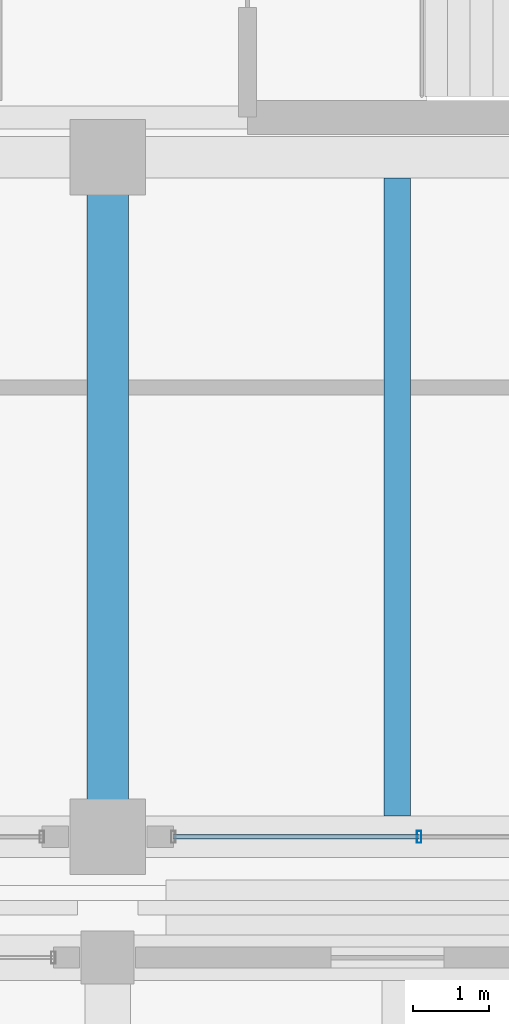
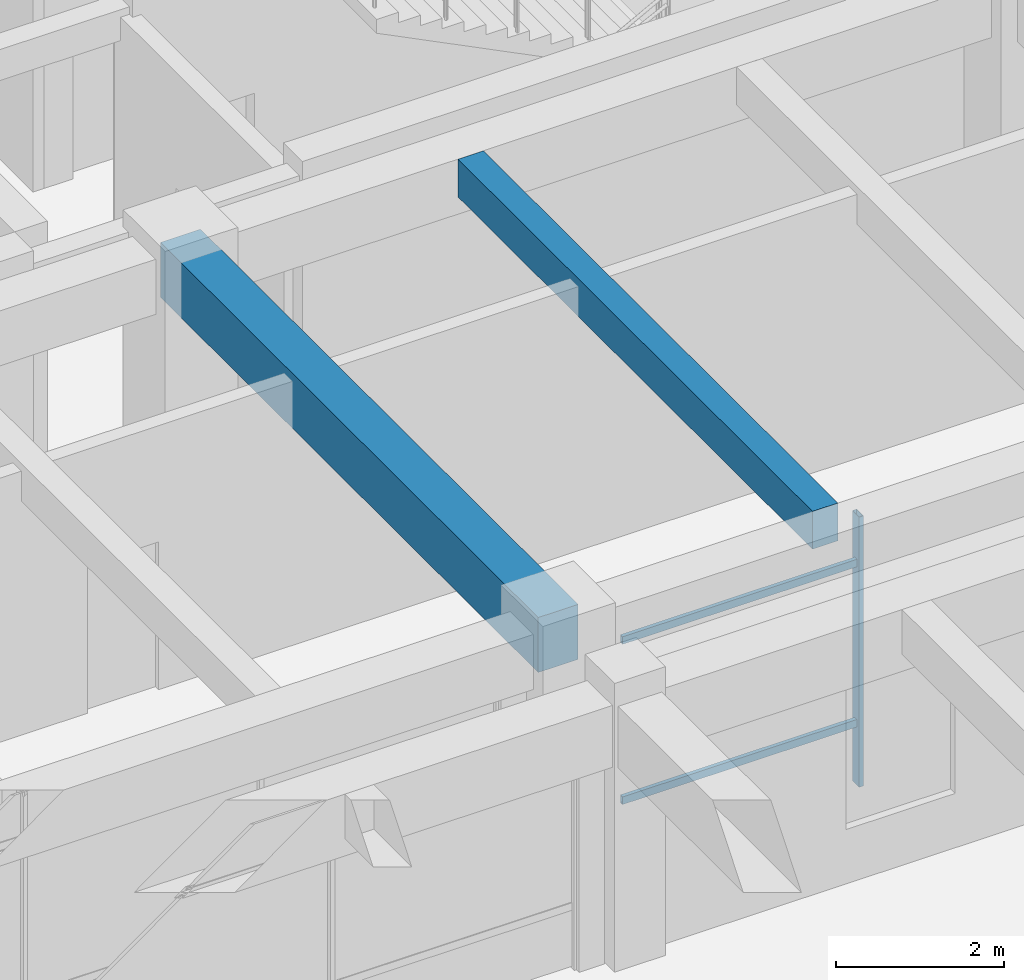
# One storey, part 55 of 98: 3 members, 2 beams, 1 element without a shape of its own.
"""IFC4 building model written with IfcOpenShell, lengths in metres."""

import ifcopenshell
import ifcopenshell.guid

model = None  # the IFC model being written
_history = None  # IfcOwnerHistory: only IFC2X3 demands one
_inside = {}  # id of a spatial element -> (the spatial element, [elements in it])
_under = {}  # id of a project, library or spatial element -> (it, [spatial elements below it])
_declared = {}  # id of a project -> (the project, [libraries it declares])
_typed = {}  # id of a type object -> (the type object, [elements of that type])
_made_of = {}  # id of a material, layer set ... -> (it, [elements and type objects made of it])


def new_model(schema):
    """Start an empty IFC model of exactly this schema.

    Asked for "IFC4X3", IfcOpenShell would pick the latest addendum, in which some entities
    have other attributes; the version numbers below select the first issue.
    IFC2X3 requires an IfcOwnerHistory on every rooted entity: one is made here for all.
    """
    global model, _history
    if schema == "IFC4X3":
        model = ifcopenshell.file(schema_version=(4, 3, 0, 0))
    else:
        model = ifcopenshell.file(schema=schema)
    _inside.clear()
    _under.clear()
    _declared.clear()
    _typed.clear()
    _made_of.clear()
    _history = None
    if model.schema == "IFC2X3":
        org = make("IfcOrganization", Name="unknown")
        user = make(
            "IfcPersonAndOrganization",
            ThePerson=make("IfcPerson", FamilyName="unknown"),
            TheOrganization=org,
        )
        app = make(
            "IfcApplication",
            ApplicationDeveloper=org,
            Version="unknown",
            ApplicationFullName="unknown",
            ApplicationIdentifier="unknown",
        )
        _history = make(
            "IfcOwnerHistory",
            OwningUser=user,
            OwningApplication=app,
            ChangeAction="ADDED",
            CreationDate=0,
        )
    return model


def make(cls, **values):
    """One entity of the class cls with the attributes given. An attribute that is None is left unset."""
    return model.create_entity(
        cls, **{name: value for name, value in values.items() if value is not None}
    )


def rooted(cls, **values):
    """An entity with a GlobalId (a new one), such as an element, a storey or a relation."""
    return make(cls, GlobalId=ifcopenshell.guid.new(), OwnerHistory=_history, **values)


def si_unit(unit_type, name, prefix=None):
    """IfcSIUnit, for example si_unit("LENGTHUNIT", "METRE", prefix="MILLI")."""
    return make("IfcSIUnit", UnitType=unit_type, Prefix=prefix, Name=name)


def assignment(units):
    """IfcUnitAssignment: the units of a project."""
    return None if units is None else make("IfcUnitAssignment", Units=units)


def point(xyz):
    """IfcCartesianPoint."""
    return None if xyz is None else make("IfcCartesianPoint", Coordinates=xyz)


def direction(xyz):
    """IfcDirection."""
    return None if xyz is None else make("IfcDirection", DirectionRatios=xyz)


def frame(location, z_axis=None, x_axis=None):
    """IfcAxis2Placement3D, a coordinate frame: its origin and axes. An axis left out is left unset."""
    return make(
        "IfcAxis2Placement3D",
        Location=point(location),
        Axis=direction(z_axis),
        RefDirection=direction(x_axis),
    )


def frame_2d(location, x_axis=None):
    """IfcAxis2Placement2D, a coordinate frame in the plane: its origin and x axis."""
    return make(
        "IfcAxis2Placement2D", Location=point(location), RefDirection=direction(x_axis)
    )


def origin():
    """The frame at (0, 0, 0) with its axes left unset."""
    return frame((0.0, 0.0, 0.0))


def origin_2d():
    """The frame at (0, 0) in the plane with its x axis left unset."""
    return frame_2d((0.0, 0.0))


def place(relative_to, where):
    """IfcLocalPlacement: puts the frame where relative to a parent placement (None: the world)."""
    return make(
        "IfcLocalPlacement", PlacementRelTo=relative_to, RelativePlacement=where
    )


def context(
    kind, dimensions, precision=None, world=None, true_north=None, identifier=None
):
    """IfcGeometricRepresentationContext, for example the 3D "Model" context."""
    return make(
        "IfcGeometricRepresentationContext",
        ContextIdentifier=identifier,
        ContextType=kind,
        CoordinateSpaceDimension=dimensions,
        Precision=precision,
        WorldCoordinateSystem=world,
        TrueNorth=true_north,
    )


def subcontext(parent, identifier, kind, view, scale=None):
    """IfcGeometricRepresentationSubContext, for example "Body" below "Model"."""
    return make(
        "IfcGeometricRepresentationSubContext",
        ContextIdentifier=identifier,
        ContextType=kind,
        ParentContext=parent,
        TargetScale=scale,
        TargetView=view,
    )


def project(units=None, contexts=None):
    """IfcProject with its units and contexts."""
    return rooted(
        "IfcProject",
        Name="project",
        RepresentationContexts=contexts,
        UnitsInContext=assignment(units),
    )


def spatial(cls, under=None, at=None, **own):
    """A site, building, storey or space (cls), placed at a placement, below another one or the project."""
    s = rooted(cls, ObjectPlacement=at, **own)
    if under is not None:
        _under.setdefault(under.id(), (under, []))[1].append(s)
    return s


def profile(cls, at=None, kind="AREA", **sizes):
    """A parametric profile (cls). Its sizes go by their IFC names, for example OverallWidth=200.0."""
    return make(cls, ProfileType=kind, Position=at, **sizes)


def rectangle(**sizes):
    """IfcRectangleProfileDef."""
    return profile("IfcRectangleProfileDef", **sizes)


def hollow_rectangle(**sizes):
    """IfcRectangleHollowProfileDef."""
    return profile("IfcRectangleHollowProfileDef", **sizes)


def extrude(swept, where, along, depth):
    """IfcExtrudedAreaSolid: the profile swept, set in the frame where, extruded along a direction by depth."""
    return make(
        "IfcExtrudedAreaSolid",
        SweptArea=swept,
        Position=where,
        ExtrudedDirection=direction(along),
        Depth=depth,
    )


def shape(context_of_items, identifier, shape_type, items):
    """IfcShapeRepresentation: the items that make up one representation, for example the "Body"."""
    return make(
        "IfcShapeRepresentation",
        ContextOfItems=context_of_items,
        RepresentationIdentifier=identifier,
        RepresentationType=shape_type,
        Items=items,
    )


def material(Name=None, Category=None):
    """IfcMaterial."""
    return make("IfcMaterial", Name=Name, Category=Category)


def material_profile(
    of_material, cross_section, Name=None, Category=None, Priority=None
):
    """IfcMaterialProfile: a cross section and its material."""
    return make(
        "IfcMaterialProfile",
        Name=Name,
        Material=of_material,
        Profile=cross_section,
        Priority=Priority,
        Category=Category,
    )


def profile_set(profiles, Name=None, composite=None):
    """IfcMaterialProfileSet."""
    return make(
        "IfcMaterialProfileSet",
        Name=Name,
        MaterialProfiles=profiles,
        CompositeProfile=composite,
    )


def made_of(thing, what):
    """Note that an element or type object is made of a material, layer set ...; save() writes the relation."""
    if what is not None:
        _made_of.setdefault(what.id(), (what, []))[1].append(thing)
    return thing


def type_object(cls, material=None, **own):
    """A type object (cls), such as IfcWallType, which elements share."""
    return made_of(rooted(cls, **own), material)


def element(
    cls,
    number,
    at=None,
    inside=None,
    cuts=None,
    type_object=None,
    material=None,
    context=None,
    identifier="Body",
    shape_type=None,
    held_by="IfcProductDefinitionShape",
    body=None,
    shapes=None,
    **own,
):
    """One element of the class cls, such as IfcWall. Its Tag is "e" and its number.

    at: its placement. inside: the storey or other place that contains it. cuts: it is an
    opening in that element (IfcRelVoidsElement). A single representation is given by context,
    identifier, shape_type and body (its items); several are given by shapes. held_by: the class
    of the entity that holds the representations. save() writes the other relations.
    """
    e = rooted(cls, Tag="e%d" % number, ObjectPlacement=at, **own)
    if body is not None:
        shapes = [shape(context, identifier, shape_type, body)]
    if shapes is not None:
        e.Representation = make(held_by, Representations=shapes)
    if inside is not None:
        _inside.setdefault(inside.id(), (inside, []))[1].append(e)
    if cuts is not None:
        rooted(
            "IfcRelVoidsElement", RelatingBuildingElement=cuts, RelatedOpeningElement=e
        )
    if type_object is not None:
        _typed.setdefault(type_object.id(), (type_object, []))[1].append(e)
    return made_of(e, material)


def aggregate(whole, parts):
    """IfcRelAggregates: a whole, such as a stair, and the parts it consists of."""
    return rooted("IfcRelAggregates", RelatingObject=whole, RelatedObjects=parts)


def save(model, path):
    """Write the relations noted so far, then the file.

    IfcRelAggregates (storeys below a building ...), IfcRelContainedInSpatialStructure (elements
    in a storey), IfcRelDefinesByType, IfcRelAssociatesMaterial and IfcRelDeclares: one each for
    every whole, place, type object, material and project.
    """
    for whole, parts in _under.values():
        aggregate(whole, parts)
    for where, things in _inside.values():
        rooted(
            "IfcRelContainedInSpatialStructure",
            RelatedElements=things,
            RelatingStructure=where,
        )
    for kind, things in _typed.values():
        rooted("IfcRelDefinesByType", RelatedObjects=things, RelatingType=kind)
    for what, things in _made_of.values():
        rooted("IfcRelAssociatesMaterial", RelatedObjects=things, RelatingMaterial=what)
    for by, libraries in _declared.values():
        rooted("IfcRelDeclares", RelatingContext=by, RelatedDefinitions=libraries)
    model.write(path)


model = new_model("IFC4")

# Units and contexts
model_context = context("Model", 3, precision=1e-05, world=origin(), true_north=direction((0.0, 1.0)))
body_context = subcontext(model_context, "Body", "Model", "MODEL_VIEW")
ifc_project = project(units=[si_unit("LENGTHUNIT", "METRE"), si_unit("AREAUNIT", "SQUARE_METRE"), si_unit("VOLUMEUNIT", "CUBIC_METRE"), si_unit("PLANEANGLEUNIT", "RADIAN"), si_unit("MASSUNIT", "GRAM", prefix="KILO")], contexts=[model_context])

# Site, building, storey
site_placement = place(None, origin())
site = spatial("IfcSite", under=ifc_project, at=site_placement, CompositionType="ELEMENT")
building_placement = place(site_placement, origin())
building = spatial("IfcBuilding", under=site, at=building_placement, Name="Ologun Quay Terminus", CompositionType="ELEMENT")
storey_placement = place(building_placement, frame((0.0, 0.0, 4.199951171875)))
storey = spatial("IfcBuildingStorey", under=building, at=storey_placement, Name="L01", CompositionType="ELEMENT", Elevation=4.199951171875)

# Curtain wall, members
ifc_material_1 = material(Name="Aluminium 6063-T6", Category="aluminium")
curtain_wall_type = type_object("IfcCurtainWallType", Name="Waterfront Pavilion Harbour Curtain Wall L01 10500x3850", PredefinedType="USERDEFINED", material=ifc_material_1)
curtain_wall_placement = place(storey_placement, origin())
curtain_wall = element("IfcCurtainWall", 1, at=curtain_wall_placement, inside=storey, type_object=curtain_wall_type, Name="CW-23 Curtain Wall CW-L01-125", ObjectType="UNITISED CURTAIN WALL", PredefinedType="USERDEFINED")
ifc_material_2 = material(Name="Aluminium 6063-T6", Category="aluminium")
ifc_material_profile_1 = material_profile(ifc_material_2, hollow_rectangle(XDim=0.06005859375, YDim=0.159912109375, WallThickness=0.00390625, at=origin_2d()), Name="ALU 160x60x4")
ifc_profile_set_1 = profile_set([ifc_material_profile_1], Name="Aluminium 6063-T6")
member_type_1 = type_object("IfcMemberType", Name="Courtyard Screen Mullion 160x65", PredefinedType="MULLION", material=ifc_profile_set_1)
member_1_placement = place(storey_placement, frame((142.123291015625, 85.800048828125, 0.0), z_axis=(0.0, 0.0, 1.0), x_axis=(1.0, 0.0, 0.0)))
member_1 = element("IfcMember", 2, at=member_1_placement, type_object=member_type_1, Name="CW-L01-125 Mullion 2", PredefinedType="MULLION", context=body_context, shape_type="SweptSolid", body=[
    extrude(hollow_rectangle(XDim=0.06005859375, YDim=0.159912109375, WallThickness=0.00390625, at=origin_2d()), origin(), (0.0, 0.0, 1.0), 3.929931640625),
])
ifc_material_3 = material(Name="Aluminium 6063-T6", Category="aluminium")
ifc_material_profile_2 = material_profile(ifc_material_3, hollow_rectangle(XDim=0.054931640625, YDim=0.110107421875, WallThickness=0.00390625, at=origin_2d()), Name="ALU 110x55x4")
ifc_profile_set_2 = profile_set([ifc_material_profile_2], Name="Aluminium 6063-T6")
member_type_2 = type_object("IfcMemberType", Name="Courtyard Screen Transom 110x55", PredefinedType="USERDEFINED", material=ifc_profile_set_2)
member_2_placement = place(storey_placement, frame((138.8701171875, 85.800048828125, 0.900146484375), z_axis=(1.0, 0.0, 0.0), x_axis=(0.0, 1.0, 0.0)))
member_2 = element("IfcMember", 3, at=member_2_placement, type_object=member_type_2, Name="CW-L01-125 Transom B1-1", ObjectType="TRANSOM", PredefinedType="USERDEFINED", context=body_context, shape_type="SweptSolid", body=[
    extrude(hollow_rectangle(XDim=0.054931640625, YDim=0.110107421875, WallThickness=0.00390625, at=origin_2d()), origin(), (0.0, 0.0, 1.0), 3.253173828125),
])
member_3_placement = place(storey_placement, frame((138.8701171875, 85.800048828125, 3.22998046875), z_axis=(1.0, 0.0, 0.0), x_axis=(0.0, 1.0, 0.0)))
member_3 = element("IfcMember", 4, at=member_3_placement, type_object=member_type_2, Name="CW-L01-125 Transom B1-2", ObjectType="TRANSOM", PredefinedType="USERDEFINED", context=body_context, shape_type="SweptSolid", body=[
    extrude(hollow_rectangle(XDim=0.054931640625, YDim=0.110107421875, WallThickness=0.00390625, at=origin_2d()), origin(), (0.0, 0.0, 1.0), 3.253173828125),
])
aggregate(curtain_wall, [member_1, member_2, member_3])

# Beams
ifc_material_4 = material(Name="Concrete C40/50", Category="concrete")
ifc_material_profile_3 = material_profile(ifc_material_4, rectangle(XDim=0.550048828125, YDim=0.800048828125, at=origin_2d()), Name="RC 550x800")
ifc_profile_set_3 = profile_set([ifc_material_profile_3], Name="Concrete C40/50")
beam_type_1 = type_object("IfcBeamType", Name="Courtyard Wing Primary Girder 550x800", PredefinedType="BEAM", material=ifc_profile_set_3)
beam_1_placement = place(storey_placement, frame((138.0, 85.800048828125, 3.550048828125), z_axis=(0.0, 1.0, 0.0), x_axis=(-1.0, 0.0, 0.0)))
element("IfcBeam", 5, at=beam_1_placement, inside=storey, type_object=beam_type_1, Name="B4 Beam 13/G2 L01", PredefinedType="BEAM", context=body_context, shape_type="SweptSolid", body=[
    extrude(rectangle(XDim=0.550048828125, YDim=0.800048828125, at=origin_2d()), origin(), (0.0, 0.0, 1.0), 9.0),
])
ifc_material_5 = material(Name="Concrete C40/50", Category="concrete")
ifc_material_profile_4 = material_profile(ifc_material_5, rectangle(XDim=0.35009765625, YDim=0.550048828125, at=origin_2d()), Name="RC 350x550")
ifc_profile_set_4 = profile_set([ifc_material_profile_4], Name="Concrete C40/50")
beam_type_2 = type_object("IfcBeamType", Name="Courtyard Wing Secondary Joist 350x550", PredefinedType="JOIST", material=ifc_profile_set_4)
beam_2_placement = place(storey_placement, frame((141.833251953125, 86.074951171875, 3.675048828125), z_axis=(0.0, 1.0, 0.0), x_axis=(-1.0, 0.0, 0.0)))
element("IfcBeam", 6, at=beam_2_placement, inside=storey, type_object=beam_type_2, Name="J2 Beam 13/G2 L01", PredefinedType="JOIST", context=body_context, shape_type="SweptSolid", body=[
    extrude(rectangle(XDim=0.35009765625, YDim=0.550048828125, at=origin_2d()), origin(), (0.0, 0.0, 1.0), 8.449951171875),
])

save(model, "model.ifc")
